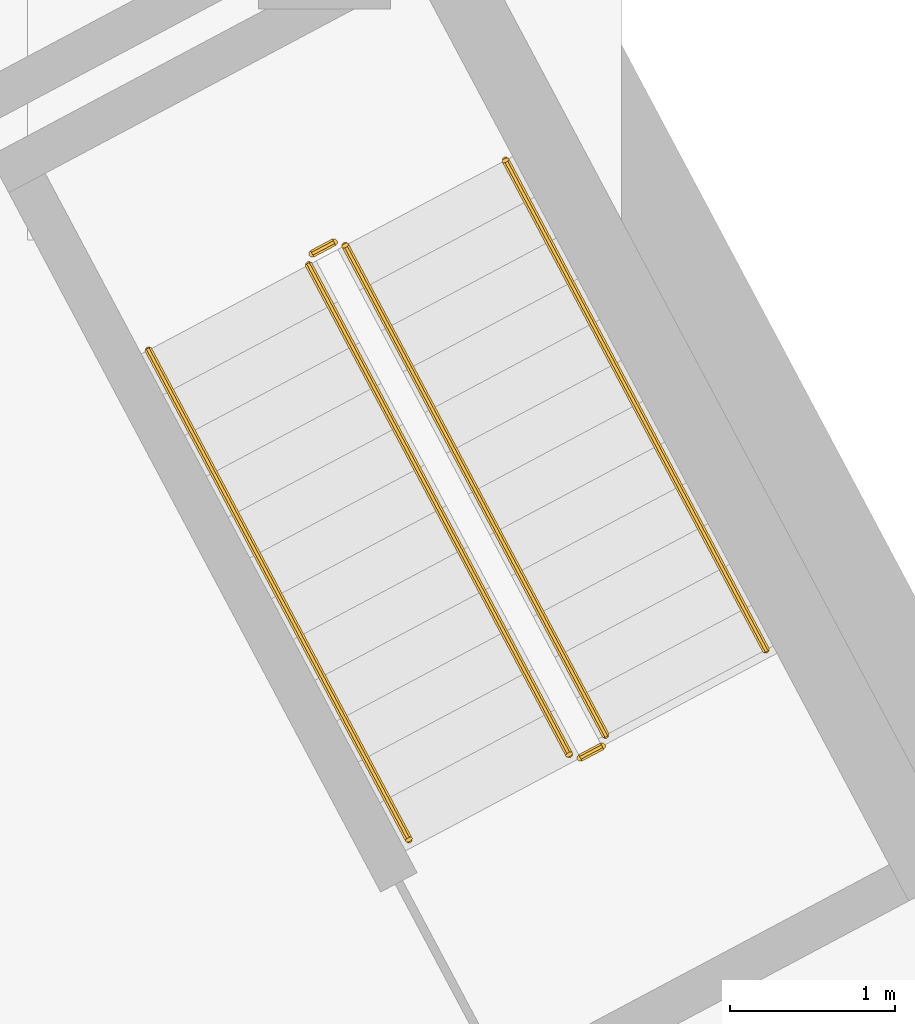
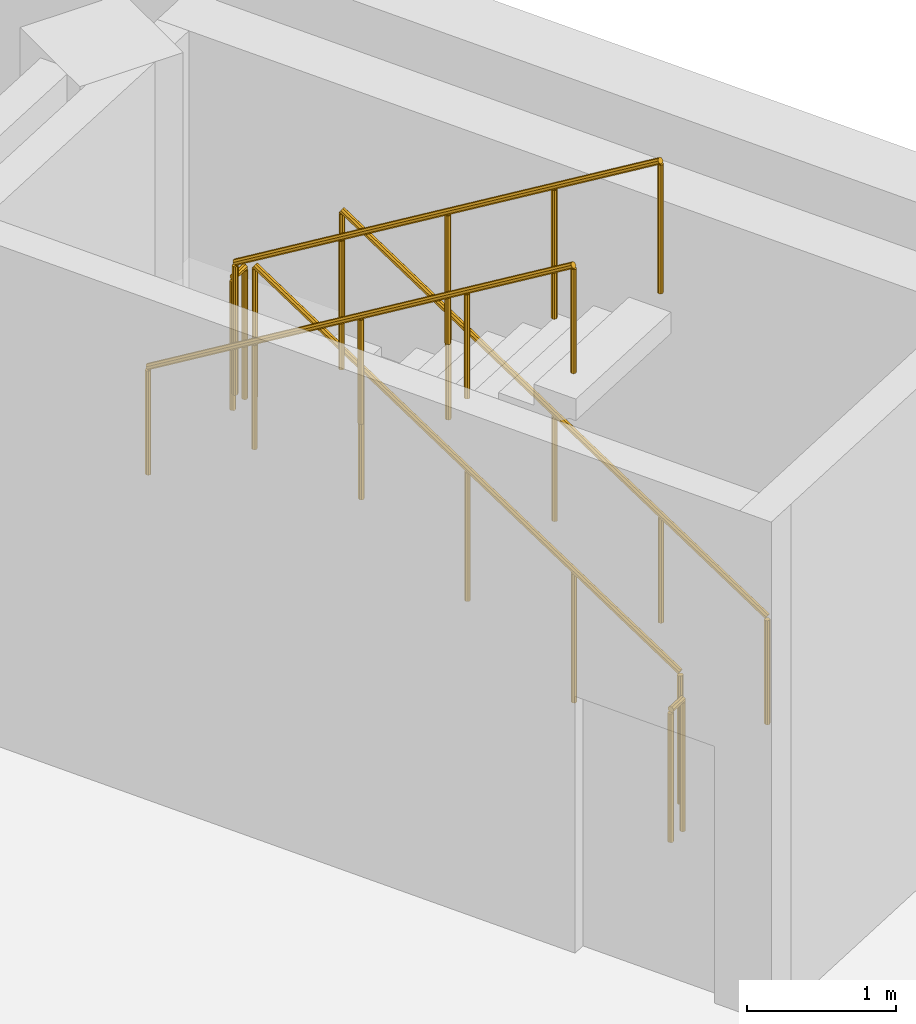
# One storey, part 28 of 29: 6 railings.
"""IFC4 building model written with IfcOpenShell, lengths in metres."""

from ifc_helpers import new_model, si_unit, direction, frame, origin, place, context, subcontext, project, spatial, polyline, outline, extrude, material, type_object, element, save


model = new_model("IFC4")

# Units and contexts
model_context = context("Model", 3, precision=1e-05, world=origin(), true_north=direction((0.0, 1.0)))
body_context = subcontext(model_context, "Body", "Model", "MODEL_VIEW")
ifc_project = project(units=[si_unit("LENGTHUNIT", "METRE"), si_unit("AREAUNIT", "SQUARE_METRE"), si_unit("VOLUMEUNIT", "CUBIC_METRE"), si_unit("PLANEANGLEUNIT", "RADIAN"), si_unit("MASSUNIT", "GRAM", prefix="KILO")], contexts=[model_context])

# Site, building, storey
site_placement = place(None, origin())
site = spatial("IfcSite", under=ifc_project, at=site_placement, CompositionType="ELEMENT")
building_placement = place(site_placement, origin())
building = spatial("IfcBuilding", under=site, at=building_placement, Name="Cormorant Relay Tower", CompositionType="ELEMENT")
storey_placement = place(building_placement, frame((0.0, 0.0, -9.0)))
storey = spatial("IfcBuildingStorey", under=building, at=storey_placement, Name="B2", CompositionType="ELEMENT", Elevation=-9.0)

# Railings
ifc_material_1 = material(Name="Steel ASTM A572 Grade 50 (Fy 345 MPa)", Category="steel")
railing_type_1 = type_object("IfcRailingType", Name="Podium stair guard 1100", PredefinedType="GUARDRAIL", material=ifc_material_1)
railing_1_placement = place(storey_placement, frame((71.6220703125, 40.921630859375, 0.173095703125)))
element("IfcRailing", 1, at=railing_1_placement, inside=storey, type_object=railing_type_1, Name="B2 X2 stair guard 1", PredefinedType="GUARDRAIL", context=body_context, shape_type="SweptSolid", body=[
    extrude(outline(polyline([(0.022216796875, 0.00927734375), (0.00927734375, 0.022216796875), (-0.00927734375, 0.022216796875), (-0.022216796875, 0.00927734375), (-0.022216796875, -0.00927734375), (-0.00927734375, -0.022216796875), (0.00927734375, -0.022216796875), (0.022216796875, -0.00927734375), (0.022216796875, 0.00927734375)])), frame((0.0, 0.0, 1.076171875), z_axis=(-0.399344577991, 0.75103481925, 0.525804724497), x_axis=(-0.88294160794, -0.469482818608, 0.0)), (0.0, 0.0, 1.0), 3.949951171875),
    extrude(outline(polyline([(0.019287109375, 0.008056640625), (0.008056640625, 0.019287109375), (-0.008056640625, 0.019287109375), (-0.019287109375, 0.008056640625), (-0.019287109375, -0.008056640625), (-0.008056640625, -0.019287109375), (0.008056640625, -0.019287109375), (0.019287109375, -0.008056640625), (0.019287109375, 0.008056640625)])), origin(), (0.0, 0.0, 1.0), 1.052001953125),
    extrude(outline(polyline([(0.019287109375, 0.008056640625), (0.008056640625, 0.019287109375), (-0.008056640625, 0.019287109375), (-0.019287109375, 0.008056640625), (-0.019287109375, -0.008056640625), (-0.008056640625, -0.019287109375), (0.008056640625, -0.019287109375), (0.019287109375, -0.008056640625), (0.019287109375, 0.008056640625)])), frame((-0.394287109375, 0.74169921875, 0.519287109375)), (0.0, 0.0, 1.0), 1.052001953125),
    extrude(outline(polyline([(0.019287109375, 0.008056640625), (0.008056640625, 0.019287109375), (-0.008056640625, 0.019287109375), (-0.019287109375, 0.008056640625), (-0.019287109375, -0.008056640625), (-0.008056640625, -0.019287109375), (0.008056640625, -0.019287109375), (0.019287109375, -0.008056640625), (0.019287109375, 0.008056640625)])), frame((-0.78857421875, 1.4833984375, 1.03857421875)), (0.0, 0.0, 1.0), 1.052001953125),
    extrude(outline(polyline([(0.019287109375, 0.008056640625), (0.008056640625, 0.019287109375), (-0.008056640625, 0.019287109375), (-0.019287109375, 0.008056640625), (-0.019287109375, -0.008056640625), (-0.008056640625, -0.019287109375), (0.008056640625, -0.019287109375), (0.019287109375, -0.008056640625), (0.019287109375, 0.008056640625)])), frame((-1.18310546875, 2.224853515625, 1.5576171875)), (0.0, 0.0, 1.0), 1.052001953125),
    extrude(outline(polyline([(0.019287109375, 0.008056640625), (0.008056640625, 0.019287109375), (-0.008056640625, 0.019287109375), (-0.019287109375, 0.008056640625), (-0.019287109375, -0.008056640625), (-0.008056640625, -0.019287109375), (0.008056640625, -0.019287109375), (0.019287109375, -0.008056640625), (0.019287109375, 0.008056640625)])), frame((-1.577392578125, 2.966552734375, 2.076904296875)), (0.0, 0.0, 1.0), 1.052001953125),
])
railing_2_placement = place(storey_placement, frame((69.97705078125, 43.908935546875, 2.25)))
element("IfcRailing", 2, at=railing_2_placement, inside=storey, type_object=railing_type_1, Name="B2 X2 stair guard 2", PredefinedType="GUARDRAIL", context=body_context, shape_type="SweptSolid", body=[
    extrude(outline(polyline([(0.022216796875, 0.00927734375), (0.00927734375, 0.022216796875), (-0.00927734375, 0.022216796875), (-0.022216796875, 0.00927734375), (-0.022216796875, -0.00927734375), (-0.00927734375, -0.022216796875), (0.00927734375, -0.022216796875), (0.022216796875, -0.00927734375), (0.022216796875, 0.00927734375)])), frame((0.0, 0.0, 1.076171875), z_axis=(-0.882757634224, -0.469828648786, 0.0), x_axis=(0.469828648786, -0.882757634224, 0.0)), (0.0, 0.0, 1.0), 0.150146484375),
    extrude(outline(polyline([(0.019287109375, 0.008056640625), (0.008056640625, 0.019287109375), (-0.008056640625, 0.019287109375), (-0.019287109375, 0.008056640625), (-0.019287109375, -0.008056640625), (-0.008056640625, -0.019287109375), (0.008056640625, -0.019287109375), (0.019287109375, -0.008056640625), (0.019287109375, 0.008056640625)])), origin(), (0.0, 0.0, 1.0), 1.052001953125),
    extrude(outline(polyline([(0.019287109375, 0.008056640625), (0.008056640625, 0.019287109375), (-0.008056640625, 0.019287109375), (-0.019287109375, 0.008056640625), (-0.019287109375, -0.008056640625), (-0.008056640625, -0.019287109375), (0.008056640625, -0.019287109375), (0.019287109375, -0.008056640625), (0.019287109375, 0.008056640625)])), frame((-0.132568359375, -0.070556640625, 0.0)), (0.0, 0.0, 1.0), 1.052001953125),
])
railing_3_placement = place(storey_placement, frame((69.823974609375, 43.770751953125, 2.423095703125)))
element("IfcRailing", 3, at=railing_3_placement, inside=storey, type_object=railing_type_1, Name="B2 X2 stair guard 3", PredefinedType="GUARDRAIL", context=body_context, shape_type="SweptSolid", body=[
    extrude(outline(polyline([(0.022216796875, 0.00927734375), (0.00927734375, 0.022216796875), (-0.00927734375, 0.022216796875), (-0.022216796875, 0.00927734375), (-0.022216796875, -0.00927734375), (-0.00927734375, -0.022216796875), (0.00927734375, -0.022216796875), (0.022216796875, -0.00927734375), (0.022216796875, 0.00927734375)])), frame((0.0, 0.0, 1.076171875), z_axis=(0.399344577991, -0.75103481925, 0.525804724497), x_axis=(0.88294160794, 0.469482818608, 0.0)), (0.0, 0.0, 1.0), 3.949951171875),
    extrude(outline(polyline([(0.019287109375, 0.008056640625), (0.008056640625, 0.019287109375), (-0.008056640625, 0.019287109375), (-0.019287109375, 0.008056640625), (-0.019287109375, -0.008056640625), (-0.008056640625, -0.019287109375), (0.008056640625, -0.019287109375), (0.019287109375, -0.008056640625), (0.019287109375, 0.008056640625)])), origin(), (0.0, 0.0, 1.0), 1.052001953125),
    extrude(outline(polyline([(0.019287109375, 0.008056640625), (0.008056640625, 0.019287109375), (-0.008056640625, 0.019287109375), (-0.019287109375, 0.008056640625), (-0.019287109375, -0.008056640625), (-0.008056640625, -0.019287109375), (0.008056640625, -0.019287109375), (0.019287109375, -0.008056640625), (0.019287109375, 0.008056640625)])), frame((0.394287109375, -0.74169921875, 0.519287109375)), (0.0, 0.0, 1.0), 1.052001953125),
    extrude(outline(polyline([(0.019287109375, 0.008056640625), (0.008056640625, 0.019287109375), (-0.008056640625, 0.019287109375), (-0.019287109375, 0.008056640625), (-0.019287109375, -0.008056640625), (-0.008056640625, -0.019287109375), (0.008056640625, -0.019287109375), (0.019287109375, -0.008056640625), (0.019287109375, 0.008056640625)])), frame((0.78857421875, -1.4833984375, 1.03857421875)), (0.0, 0.0, 1.0), 1.052001953125),
    extrude(outline(polyline([(0.019287109375, 0.008056640625), (0.008056640625, 0.019287109375), (-0.008056640625, 0.019287109375), (-0.019287109375, 0.008056640625), (-0.019287109375, -0.008056640625), (-0.008056640625, -0.019287109375), (0.008056640625, -0.019287109375), (0.019287109375, -0.008056640625), (0.019287109375, 0.008056640625)])), frame((1.18310546875, -2.224853515625, 1.5576171875)), (0.0, 0.0, 1.0), 1.052001953125),
    extrude(outline(polyline([(0.019287109375, 0.008056640625), (0.008056640625, 0.019287109375), (-0.008056640625, 0.019287109375), (-0.019287109375, 0.008056640625), (-0.019287109375, -0.008056640625), (-0.008056640625, -0.019287109375), (0.008056640625, -0.019287109375), (0.019287109375, -0.008056640625), (0.019287109375, 0.008056640625)])), frame((1.577392578125, -2.966552734375, 2.076904296875)), (0.0, 0.0, 1.0), 1.052001953125),
])
railing_4_placement = place(storey_placement, frame((71.601318359375, 40.85400390625, 0.0)))
element("IfcRailing", 4, at=railing_4_placement, inside=storey, type_object=railing_type_1, Name="B2 X2 stair guard 4", PredefinedType="GUARDRAIL", context=body_context, shape_type="SweptSolid", body=[
    extrude(outline(polyline([(0.022216796875, 0.00927734375), (0.00927734375, 0.022216796875), (-0.00927734375, 0.022216796875), (-0.022216796875, 0.00927734375), (-0.022216796875, -0.00927734375), (-0.00927734375, -0.022216796875), (0.00927734375, -0.022216796875), (0.022216796875, -0.00927734375), (0.022216796875, 0.00927734375)])), frame((0.0, 0.0, 1.076171875), z_axis=(-0.882398003998, -0.470503732759, 0.0), x_axis=(0.470503732759, -0.882398003998, 0.0)), (0.0, 0.0, 1.0), 0.14990234375),
    extrude(outline(polyline([(0.019287109375, 0.008056640625), (0.008056640625, 0.019287109375), (-0.008056640625, 0.019287109375), (-0.019287109375, 0.008056640625), (-0.019287109375, -0.008056640625), (-0.008056640625, -0.019287109375), (0.008056640625, -0.019287109375), (0.019287109375, -0.008056640625), (0.019287109375, 0.008056640625)])), origin(), (0.0, 0.0, 1.0), 1.052001953125),
    extrude(outline(polyline([(0.019287109375, 0.008056640625), (0.008056640625, 0.019287109375), (-0.008056640625, 0.019287109375), (-0.019287109375, 0.008056640625), (-0.019287109375, -0.008056640625), (-0.008056640625, -0.019287109375), (0.008056640625, -0.019287109375), (0.019287109375, -0.008056640625), (0.019287109375, 0.008056640625)])), frame((-0.13232421875, -0.070556640625, 0.0)), (0.0, 0.0, 1.0), 1.052001953125),
])
ifc_material_2 = material(Name="Stainless steel 316", Category="steel")
railing_type_2 = type_object("IfcRailingType", Name="Podium stair handrail 900", PredefinedType="HANDRAIL", material=ifc_material_2)
railing_5_placement = place(storey_placement, frame((72.59326171875, 41.43798828125, 0.173095703125)))
element("IfcRailing", 5, at=railing_5_placement, inside=storey, type_object=railing_type_2, Name="B2 X2 stair handrail 1", PredefinedType="HANDRAIL", context=body_context, shape_type="SweptSolid", body=[
    extrude(outline(polyline([(0.022216796875, 0.00927734375), (0.00927734375, 0.022216796875), (-0.00927734375, 0.022216796875), (-0.022216796875, 0.00927734375), (-0.022216796875, -0.00927734375), (-0.00927734375, -0.022216796875), (0.00927734375, -0.022216796875), (0.022216796875, -0.00927734375), (0.022216796875, 0.00927734375)])), frame((0.0, 0.0, 0.8759765625), z_axis=(-0.399344577991, 0.75103481925, 0.525804724497), x_axis=(-0.88294160794, -0.469482818608, 0.0)), (0.0, 0.0, 1.0), 3.949951171875),
    extrude(outline(polyline([(0.019287109375, 0.008056640625), (0.008056640625, 0.019287109375), (-0.008056640625, 0.019287109375), (-0.019287109375, 0.008056640625), (-0.019287109375, -0.008056640625), (-0.008056640625, -0.019287109375), (0.008056640625, -0.019287109375), (0.019287109375, -0.008056640625), (0.019287109375, 0.008056640625)])), origin(), (0.0, 0.0, 1.0), 0.851806640625),
    extrude(outline(polyline([(0.019287109375, 0.008056640625), (0.008056640625, 0.019287109375), (-0.008056640625, 0.019287109375), (-0.019287109375, 0.008056640625), (-0.019287109375, -0.008056640625), (-0.008056640625, -0.019287109375), (0.008056640625, -0.019287109375), (0.019287109375, -0.008056640625), (0.019287109375, 0.008056640625)])), frame((-0.394287109375, 0.74169921875, 0.519287109375)), (0.0, 0.0, 1.0), 0.851806640625),
    extrude(outline(polyline([(0.019287109375, 0.008056640625), (0.008056640625, 0.019287109375), (-0.008056640625, 0.019287109375), (-0.019287109375, 0.008056640625), (-0.019287109375, -0.008056640625), (-0.008056640625, -0.019287109375), (0.008056640625, -0.019287109375), (0.019287109375, -0.008056640625), (0.019287109375, 0.008056640625)])), frame((-0.78857421875, 1.4833984375, 1.03857421875)), (0.0, 0.0, 1.0), 0.851806640625),
    extrude(outline(polyline([(0.019287109375, 0.008056640625), (0.008056640625, 0.019287109375), (-0.008056640625, 0.019287109375), (-0.019287109375, 0.008056640625), (-0.019287109375, -0.008056640625), (-0.008056640625, -0.019287109375), (0.008056640625, -0.019287109375), (0.019287109375, -0.008056640625), (0.019287109375, 0.008056640625)])), frame((-1.18310546875, 2.224853515625, 1.5576171875)), (0.0, 0.0, 1.0), 0.851806640625),
    extrude(outline(polyline([(0.019287109375, 0.008056640625), (0.008056640625, 0.019287109375), (-0.008056640625, 0.019287109375), (-0.019287109375, 0.008056640625), (-0.019287109375, -0.008056640625), (-0.008056640625, -0.019287109375), (0.008056640625, -0.019287109375), (0.019287109375, -0.008056640625), (0.019287109375, 0.008056640625)])), frame((-1.577392578125, 2.966552734375, 2.076904296875)), (0.0, 0.0, 1.0), 0.851806640625),
])
railing_6_placement = place(storey_placement, frame((68.8525390625, 43.25439453125, 2.423095703125)))
element("IfcRailing", 6, at=railing_6_placement, inside=storey, type_object=railing_type_2, Name="B2 X2 stair handrail 2", PredefinedType="HANDRAIL", context=body_context, shape_type="SweptSolid", body=[
    extrude(outline(polyline([(0.022216796875, 0.00927734375), (0.00927734375, 0.022216796875), (-0.00927734375, 0.022216796875), (-0.022216796875, 0.00927734375), (-0.022216796875, -0.00927734375), (-0.00927734375, -0.022216796875), (0.00927734375, -0.022216796875), (0.022216796875, -0.00927734375), (0.022216796875, 0.00927734375)])), frame((0.0, 0.0, 0.8759765625), z_axis=(0.399396527572, -0.751016280799, 0.525791745598), x_axis=(0.882911485994, 0.469539463624, 0.0)), (0.0, 0.0, 1.0), 3.949951171875),
    extrude(outline(polyline([(0.019287109375, 0.008056640625), (0.008056640625, 0.019287109375), (-0.008056640625, 0.019287109375), (-0.019287109375, 0.008056640625), (-0.019287109375, -0.008056640625), (-0.008056640625, -0.019287109375), (0.008056640625, -0.019287109375), (0.019287109375, -0.008056640625), (0.019287109375, 0.008056640625)])), origin(), (0.0, 0.0, 1.0), 0.851806640625),
    extrude(outline(polyline([(0.019287109375, 0.008056640625), (0.008056640625, 0.019287109375), (-0.008056640625, 0.019287109375), (-0.019287109375, 0.008056640625), (-0.019287109375, -0.008056640625), (-0.008056640625, -0.019287109375), (0.008056640625, -0.019287109375), (0.019287109375, -0.008056640625), (0.019287109375, 0.008056640625)])), frame((0.39453125, -0.74169921875, 0.519287109375)), (0.0, 0.0, 1.0), 0.851806640625),
    extrude(outline(polyline([(0.019287109375, 0.008056640625), (0.008056640625, 0.019287109375), (-0.008056640625, 0.019287109375), (-0.019287109375, 0.008056640625), (-0.019287109375, -0.008056640625), (-0.008056640625, -0.019287109375), (0.008056640625, -0.019287109375), (0.019287109375, -0.008056640625), (0.019287109375, 0.008056640625)])), frame((0.788818359375, -1.4833984375, 1.03857421875)), (0.0, 0.0, 1.0), 0.851806640625),
    extrude(outline(polyline([(0.019287109375, 0.008056640625), (0.008056640625, 0.019287109375), (-0.008056640625, 0.019287109375), (-0.019287109375, 0.008056640625), (-0.019287109375, -0.008056640625), (-0.008056640625, -0.019287109375), (0.008056640625, -0.019287109375), (0.019287109375, -0.008056640625), (0.019287109375, 0.008056640625)])), frame((1.18310546875, -2.224853515625, 1.5576171875)), (0.0, 0.0, 1.0), 0.851806640625),
    extrude(outline(polyline([(0.019287109375, 0.008056640625), (0.008056640625, 0.019287109375), (-0.008056640625, 0.019287109375), (-0.019287109375, 0.008056640625), (-0.019287109375, -0.008056640625), (-0.008056640625, -0.019287109375), (0.008056640625, -0.019287109375), (0.019287109375, -0.008056640625), (0.019287109375, 0.008056640625)])), frame((1.57763671875, -2.966552734375, 2.076904296875)), (0.0, 0.0, 1.0), 0.851806640625),
])

save(model, "model.ifc")
